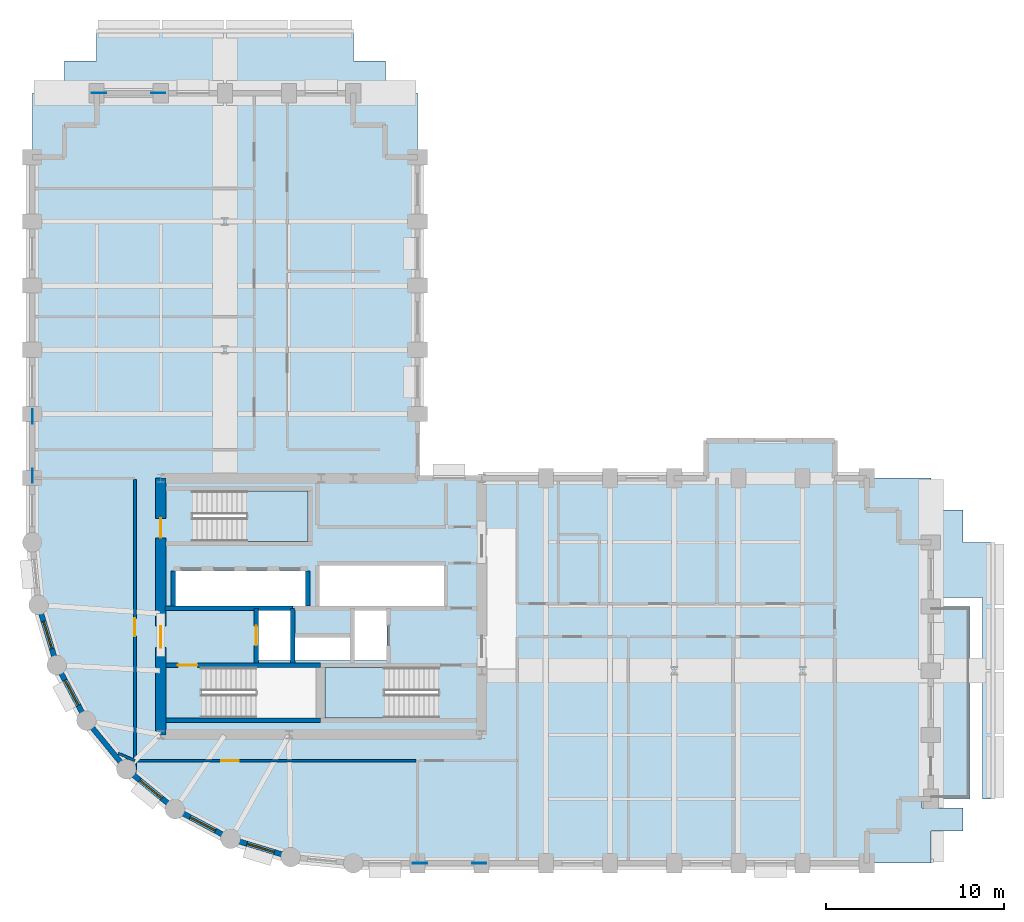
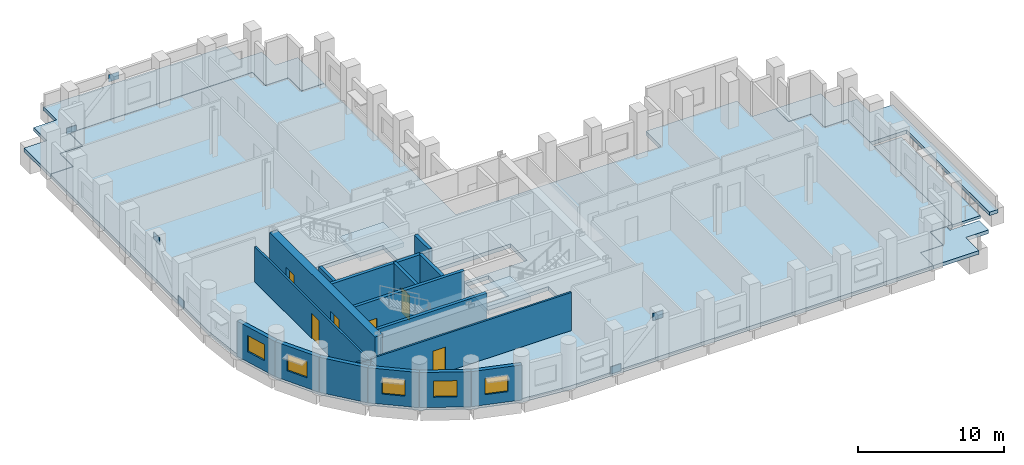
# One storey, part 3 of 9: 17 walls, 7 slabs, 6 doors, 6 plates, 5 windows, 11 openings, 2 elements without a shape of their own.
"""IFC4 building model written with IfcOpenShell, lengths in metres."""

from ifc_helpers import new_model, si_unit, direction, frame, frame_2d, origin, origin_2d, place, context, subcontext, project, spatial, polyline, rectangle, outline, extrude, material, layer, layer_set, type_object, element, fill, aggregate, save


model = new_model("IFC4")

# Units and contexts
model_context = context("Model", 3, precision=1e-05, world=origin(), true_north=direction((0.0, 1.0)))
body_context = subcontext(model_context, "Body", "Model", "MODEL_VIEW")
ifc_project = project(units=[si_unit("LENGTHUNIT", "METRE"), si_unit("AREAUNIT", "SQUARE_METRE"), si_unit("VOLUMEUNIT", "CUBIC_METRE"), si_unit("PLANEANGLEUNIT", "RADIAN"), si_unit("MASSUNIT", "GRAM", prefix="KILO")], contexts=[model_context])

# Site, building, storey
site_placement = place(None, origin())
site = spatial("IfcSite", under=ifc_project, at=site_placement, CompositionType="ELEMENT")
building_placement = place(site_placement, origin())
building = spatial("IfcBuilding", under=site, at=building_placement, Name="Solnavia Interchange Tower", CompositionType="ELEMENT")
storey_placement = place(building_placement, frame((0.0, 0.0, 80.10009765625)))
storey = spatial("IfcBuildingStorey", under=building, at=storey_placement, Name="L19", CompositionType="ELEMENT", Elevation=80.10009765625)

# Plates
ifc_material_1 = material(Name="Steel S460", Category="steel")
ifc_layer_1 = layer(ifc_material_1, 0.035888671875)
ifc_layer_set_1 = layer_set([ifc_layer_1], Name="Steel S460")
plate_type = type_object("IfcPlateType", Name="Plate-Gusset-800x600x36", PredefinedType="USERDEFINED", material=ifc_layer_set_1)
for number, where, z_axis, x_axis, name in (
    (1, (28.93994140625, 3.60009765625, -0.1201171875), (0.0, 0.0, 1.0), (1.0, 0.0, 0.0), "PLT-L19-GP01 Perimeter brace gusset plate"),
    (2, (32.260009765625, 3.60009765625, 3.169921875), (0.0, 0.0, 1.0), (1.0, 0.0, 0.0), "PLT-L19-GP02 Perimeter brace gusset plate"),
    (3, (7.199951171875, 25.340087890625, -0.1201171875), (0.0, 0.0, 1.0), (0.0, 1.0, 0.0), "PLT-L19-GP03 Perimeter brace gusset plate"),
    (4, (7.199951171875, 28.659912109375, 3.169921875), (0.0, 0.0, 1.0), (0.0, 1.0, 0.0), "PLT-L19-GP04 Perimeter brace gusset plate"),
    (5, (10.93994140625, 46.800048828125, -0.1201171875), (0.0, 0.0, 1.0), (1.0, 0.0, 0.0), "PLT-L19-GP05 Perimeter brace gusset plate"),
    (6, (14.260009765625, 46.800048828125, 3.169921875), (0.0, 0.0, 1.0), (1.0, 0.0, 0.0), "PLT-L19-GP06 Perimeter brace gusset plate"),
):
    element("IfcPlate", number, at=place(storey_placement, frame(where, z_axis=z_axis, x_axis=x_axis)), inside=storey, type_object=plate_type, Name=name, ObjectType="GUSSET PLATE", PredefinedType="USERDEFINED", context=body_context, shape_type="SweptSolid", body=[
        extrude(rectangle(XDim=0.800048828125, YDim=0.035888671875, at=origin_2d()), origin(), (0.0, 0.0, 1.0), 0.60009765625),
    ])

# Slabs
ifc_material_2 = material(Name="Concrete C40/50", Category="concrete")
ifc_layer_2 = layer(ifc_material_2, 0.300048828125)
ifc_layer_set_2 = layer_set([ifc_layer_2], Name="Concrete C40/50")
slab_type_1 = type_object("IfcSlabType", Name="Slab-Roof-300", PredefinedType="ROOF", material=ifc_layer_set_2)
slab_1_placement = place(storey_placement, frame((0.0, 0.0, -0.300048828125)))
element("IfcSlab", 7, at=slab_1_placement, inside=storey, type_object=slab_type_1, Name="ROF-L19-01 Setback maintenance roof slab", PredefinedType="ROOF", context=body_context, shape_type="SweptSolid", body=[
    extrude(outline(polyline([(9.0, 46.800048828125), (9.0, 48.60009765625), (10.800048828125, 48.60009765625), (10.800048828125, 50.39990234375), (25.199951171875, 50.39990234375), (25.199951171875, 48.60009765625), (27.0, 48.60009765625), (27.0, 46.800048828125), (28.800048828125, 46.800048828125), (28.800048828125, 43.219970703125), (27.02001953125, 43.219970703125), (27.02001953125, 45.02001953125), (25.219970703125, 45.02001953125), (25.219970703125, 46.820068359375), (10.780029296875, 46.820068359375), (10.780029296875, 45.02001953125), (8.97998046875, 45.02001953125), (8.97998046875, 43.219970703125), (7.199951171875, 43.219970703125), (7.199951171875, 46.800048828125), (9.0, 46.800048828125)])), origin(), (0.0, 0.0, 1.0), 0.300048828125),
])
slab_2_placement = place(storey_placement, frame((0.0, 0.0, -0.300048828125)))
element("IfcSlab", 8, at=slab_2_placement, inside=storey, type_object=slab_type_1, Name="ROF-L19-02 Setback maintenance roof slab", PredefinedType="ROOF", context=body_context, shape_type="SweptSolid", body=[
    extrude(outline(polyline([(57.60009765625, 23.39990234375), (59.39990234375, 23.39990234375), (59.39990234375, 21.60009765625), (61.199951171875, 21.60009765625), (61.199951171875, 7.199951171875), (60.5, 7.199951171875), (60.5, 18.5), (57.6201171875, 18.5), (57.6201171875, 21.6201171875), (55.820068359375, 21.6201171875), (55.820068359375, 23.419921875), (54.02001953125, 23.419921875), (54.02001953125, 25.199951171875), (57.60009765625, 25.199951171875), (57.60009765625, 23.39990234375)])), origin(), (0.0, 0.0, 1.0), 0.300048828125),
])
slab_3_placement = place(storey_placement, frame((0.0, 0.0, -0.300048828125)))
element("IfcSlab", 9, at=slab_3_placement, inside=storey, type_object=slab_type_1, Name="ROF-L19-03 Setback maintenance roof slab", PredefinedType="ROOF", context=body_context, shape_type="SweptSolid", body=[
    extrude(outline(polyline([(59.39990234375, 5.39990234375), (57.60009765625, 5.39990234375), (57.60009765625, 3.60009765625), (54.02001953125, 3.60009765625), (54.02001953125, 5.3798828125), (55.820068359375, 5.3798828125), (55.820068359375, 7.179931640625), (57.10009765625, 7.179931640625), (57.10009765625, 6.699951171875), (59.39990234375, 6.699951171875), (59.39990234375, 5.39990234375)])), origin(), (0.0, 0.0, 1.0), 0.300048828125),
])
ifc_layer_3 = layer(ifc_material_2, 0.320068359375)
ifc_layer_set_3 = layer_set([ifc_layer_3], Name="Concrete C40/50")
slab_type_2 = type_object("IfcSlabType", Name="Slab-Special-320", PredefinedType="FLOOR", material=ifc_layer_set_3)
slab_4_placement = place(storey_placement, frame((0.0, 0.0, -0.320068359375)))
element("IfcSlab", 10, at=slab_4_placement, inside=storey, type_object=slab_type_2, Name="SLB-L19-01 Structural floor slab", PredefinedType="FLOOR", context=body_context, shape_type="SweptSolid", body=[
    extrude(outline(polyline([(25.199951171875, 3.60009765625), (54.0, 3.60009765625), (54.0, 5.39990234375), (55.800048828125, 5.39990234375), (55.800048828125, 7.199951171875), (57.60009765625, 7.199951171875), (57.60009765625, 21.60009765625), (55.800048828125, 21.60009765625), (55.800048828125, 23.39990234375), (54.0, 23.39990234375), (54.0, 25.199951171875), (52.199951171875, 25.199951171875), (52.199951171875, 27.300048828125), (45.0, 27.300048828125), (45.0, 25.199951171875), (28.800048828125, 25.199951171875), (28.800048828125, 43.199951171875), (27.0, 43.199951171875), (27.0, 45.0), (25.199951171875, 45.0), (25.199951171875, 46.800048828125), (10.800048828125, 46.800048828125), (10.800048828125, 45.0), (9.0, 45.0), (9.0, 43.199951171875), (7.199951171875, 43.199951171875), (7.199951171875, 21.60009765625), (7.5458984375, 18.087890625), (8.570068359375, 14.7119140625), (10.23388671875, 11.60009765625), (12.471923828125, 8.8720703125), (15.199951171875, 6.634033203125), (18.31201171875, 4.969970703125), (21.68798828125, 3.946044921875), (25.199951171875, 3.60009765625)]), holes=[polyline([(16.675048828125, 11.75), (23.10009765625, 11.75), (23.10009765625, 14.590087890625), (16.675048828125, 14.590087890625), (16.675048828125, 11.75)]), polyline([(23.60009765625, 11.75), (29.97509765625, 11.75), (29.97509765625, 14.590087890625), (23.60009765625, 14.590087890625), (23.60009765625, 11.75)]), polyline([(16.175048828125, 21.64990234375), (22.64990234375, 21.64990234375), (22.64990234375, 24.489990234375), (16.175048828125, 24.489990234375), (16.175048828125, 21.64990234375)]), polyline([(19.8798828125, 14.9599609375), (21.679931640625, 14.9599609375), (21.679931640625, 17.780029296875), (19.8798828125, 17.780029296875), (19.8798828125, 14.9599609375)]), polyline([(25.280029296875, 14.9599609375), (27.080078125, 14.9599609375), (27.080078125, 17.780029296875), (25.280029296875, 17.780029296875), (25.280029296875, 14.9599609375)]), polyline([(21.919921875, 14.9599609375), (25.02001953125, 14.9599609375), (25.02001953125, 16.280029296875), (21.919921875, 16.280029296875), (21.919921875, 14.9599609375)]), polyline([(15.219970703125, 18.02001953125), (22.52001953125, 18.02001953125), (22.52001953125, 20.0), (15.219970703125, 20.0), (15.219970703125, 18.02001953125)]), polyline([(23.300048828125, 18.02001953125), (30.280029296875, 18.02001953125), (30.280029296875, 20.300048828125), (23.300048828125, 20.300048828125), (23.300048828125, 18.02001953125)])]), origin(), (0.0, 0.0, 1.0), 0.320068359375),
])

# Stair, slab
stair_type = type_object("IfcStairType", Name="Stair-Dogleg-RC", PredefinedType="HALF_TURN_STAIR", material=ifc_material_2)
stair_1_placement = place(storey_placement, origin())
stair_1 = element("IfcStair", 11, at=stair_1_placement, inside=storey, type_object=stair_type, Name="L19 Core exit stair 2", PredefinedType="HALF_TURN_STAIR")
ifc_layer_4 = layer(ifc_material_2, 0.35009765625)
ifc_layer_set_4 = layer_set([ifc_layer_4], Name="Concrete C40/50")
slab_type_3 = type_object("IfcSlabType", Name="Slab-StairLanding-350", PredefinedType="LANDING", material=ifc_layer_set_4)
slab_5_placement = place(storey_placement, frame((0.0, 0.0, 1.599853515625)))
slab_5 = element("IfcSlab", 12, at=slab_5_placement, type_object=slab_type_3, Name="ST-2 landing 1", PredefinedType="LANDING", context=body_context, shape_type="SweptSolid", body=[
    extrude(outline(polyline([(23.60009765625, 11.75), (26.94189453125, 11.75), (26.94189453125, 14.590087890625), (23.60009765625, 14.590087890625), (23.60009765625, 11.75)])), origin(), (0.0, 0.0, 1.0), 0.35009765625),
])
aggregate(stair_1, [slab_5])

stair_2_placement = place(storey_placement, origin())
stair_2 = element("IfcStair", 13, at=stair_2_placement, inside=storey, type_object=stair_type, Name="L19 Core exit stair 3", PredefinedType="HALF_TURN_STAIR")
slab_6_placement = place(storey_placement, frame((0.0, 0.0, 1.599853515625)))
slab_6 = element("IfcSlab", 14, at=slab_6_placement, type_object=slab_type_3, Name="ST-3 landing 1", PredefinedType="LANDING", context=body_context, shape_type="SweptSolid", body=[
    extrude(outline(polyline([(19.2080078125, 21.64990234375), (22.64990234375, 21.64990234375), (22.64990234375, 24.489990234375), (19.2080078125, 24.489990234375), (19.2080078125, 21.64990234375)])), origin(), (0.0, 0.0, 1.0), 0.35009765625),
])
aggregate(stair_2, [slab_6])

# Slab
ifc_layer_5 = layer(ifc_material_2, 0.219970703125)
ifc_layer_set_5 = layer_set([ifc_layer_5], Name="Concrete C40/50")
slab_type_4 = type_object("IfcSlabType", Name="Slab-Terrace-220", PredefinedType="FLOOR", material=ifc_layer_set_5)
slab_7_placement = place(storey_placement, frame((0.0, 0.0, -0.260009765625)))
element("IfcSlab", 15, at=slab_7_placement, inside=storey, type_object=slab_type_4, Name="TER-L19-01 Outdoor spiral terrace slab", PredefinedType="FLOOR", context=body_context, shape_type="SweptSolid", body=[
    extrude(outline(polyline([(57.60009765625, 7.199951171875), (59.800048828125, 7.199951171875), (59.800048828125, 18.0), (57.60009765625, 18.0), (57.60009765625, 7.199951171875)])), origin(), (0.0, 0.0, 1.0), 0.219970703125),
])

# Wall, opening, window
ifc_layer_6 = layer(ifc_material_2, 0.300048828125)
ifc_layer_set_6 = layer_set([ifc_layer_6], Name="Concrete C40/50")
wall_type_1 = type_object("IfcWallType", Name="Wall-ExtSpandrel-300", PredefinedType="STANDARD", material=ifc_layer_set_6)
wall_1_placement = place(storey_placement, frame((8.570068359375, 14.7119140625, 0.0), z_axis=(0.0, 0.0, 1.0), x_axis=(-0.290305086481, 0.956934144423, 0.0)))
wall_1 = element("IfcWall", 16, at=wall_1_placement, inside=storey, type_object=wall_type_1, Name="EXW-L19-56 Exterior precast spandrel wall", PredefinedType="STANDARD", context=body_context, shape_type="SweptSolid", body=[
    extrude(rectangle(XDim=3.52783203125, YDim=0.300048828125, at=frame_2d((1.763916015625, 0.0))), origin(), (0.0, 0.0, 1.0), 2.929931640625),
])
opening_1_placement = place(wall_1_placement, frame((0.964111328125, 0.0, 0.85009765625)))
opening_1 = element("IfcOpeningElement", 17, at=opening_1_placement, cuts=wall_1, Name="Opening WIN-04", PredefinedType="OPENING", context=body_context, shape_type="SweptSolid", body=[
    extrude(rectangle(XDim=1.60009765625, YDim=1.35009765625, at=frame_2d((0.800048828125, 0.675048828125))), frame((0.0, 0.16015625, 0.0), z_axis=(0.0, -1.0, 0.0), x_axis=(1.0, 0.0, 0.0)), (0.0, 0.0, 1.0), 0.320068359375),
])
ifc_material_3 = material(Name="Thermal-Break Aluminium & Low-E Glass", Category="aluminium")
window_type = type_object("IfcWindowType", Name="Window-Drum-1600x1350", PartitioningType="SINGLE_PANEL", PredefinedType="WINDOW", material=ifc_material_3)
window_1_placement = place(opening_1_placement, origin())
window_1 = element("IfcWindow", 18, at=window_1_placement, inside=storey, type_object=window_type, Name="WIN-L19-56 Facade ribbon window", OverallHeight=1.35009765625, OverallWidth=1.60009765625, PartitioningType="SINGLE_PANEL", PredefinedType="WINDOW", context=body_context, shape_type="SweptSolid", body=[
    extrude(rectangle(XDim=1.60009765625, YDim=1.35009765625, at=frame_2d((0.800048828125, 0.675048828125))), frame((0.0, 0.030029296875, 0.0), z_axis=(0.0, -1.0, 0.0), x_axis=(1.0, 0.0, 0.0)), (0.0, 0.0, 1.0), 0.06005859375),
])
fill(opening_1, window_1)

wall_2_placement = place(storey_placement, frame((10.23388671875, 11.60009765625, 0.0), z_axis=(0.0, 0.0, 1.0), x_axis=(-0.47151087309, 0.881860247748, 0.0)))
wall_2 = element("IfcWall", 19, at=wall_2_placement, inside=storey, type_object=wall_type_1, Name="EXW-L19-57 Exterior precast spandrel wall", PredefinedType="STANDARD", context=body_context, shape_type="SweptSolid", body=[
    extrude(rectangle(XDim=3.52880859375, YDim=0.300048828125, at=frame_2d((1.764404296875, 0.0))), origin(), (0.0, 0.0, 1.0), 2.929931640625),
])
opening_2_placement = place(wall_2_placement, frame((0.964111328125, 0.0, 0.85009765625)))
opening_2 = element("IfcOpeningElement", 20, at=opening_2_placement, cuts=wall_2, Name="Opening WIN-04", PredefinedType="OPENING", context=body_context, shape_type="SweptSolid", body=[
    extrude(rectangle(XDim=1.60009765625, YDim=1.35009765625, at=frame_2d((0.800048828125, 0.675048828125))), frame((0.0, 0.16015625, 0.0), z_axis=(0.0, -1.0, 0.0), x_axis=(1.0, 0.0, 0.0)), (0.0, 0.0, 1.0), 0.320068359375),
])
window_2_placement = place(opening_2_placement, origin())
window_2 = element("IfcWindow", 21, at=window_2_placement, inside=storey, type_object=window_type, Name="WIN-L19-57 Facade ribbon window", OverallHeight=1.35009765625, OverallWidth=1.60009765625, PartitioningType="SINGLE_PANEL", PredefinedType="WINDOW", context=body_context, shape_type="SweptSolid", body=[
    extrude(rectangle(XDim=1.60009765625, YDim=1.35009765625, at=frame_2d((0.800048828125, 0.675048828125))), frame((0.0, 0.030029296875, 0.0), z_axis=(0.0, -1.0, 0.0), x_axis=(1.0, 0.0, 0.0)), (0.0, 0.0, 1.0), 0.06005859375),
])
fill(opening_2, window_2)

# Wall
wall_3_placement = place(storey_placement, frame((12.471923828125, 8.8720703125, 0.0), z_axis=(0.0, 0.0, 1.0), x_axis=(-0.634258295121, 0.773121216285, 0.0)))
element("IfcWall", 22, at=wall_3_placement, inside=storey, type_object=wall_type_1, Name="EXW-L19-58 Exterior precast spandrel wall", PredefinedType="STANDARD", context=body_context, shape_type="SweptSolid", body=[
    extrude(rectangle(XDim=3.528564453125, YDim=0.300048828125, at=frame_2d((1.76416015625, 0.0))), origin(), (0.0, 0.0, 1.0), 2.929931640625),
])

# Wall, opening, window
wall_4_placement = place(storey_placement, frame((15.199951171875, 6.634033203125, 0.0), z_axis=(0.0, 0.0, 1.0), x_axis=(-0.773121216285, 0.634258295121, 0.0)))
wall_4 = element("IfcWall", 23, at=wall_4_placement, inside=storey, type_object=wall_type_1, Name="EXW-L19-59 Exterior precast spandrel wall", PredefinedType="STANDARD", context=body_context, shape_type="SweptSolid", body=[
    extrude(rectangle(XDim=3.528564453125, YDim=0.300048828125, at=frame_2d((1.76416015625, 0.0))), origin(), (0.0, 0.0, 1.0), 2.929931640625),
])
opening_3_placement = place(wall_4_placement, frame((0.964111328125, 0.0, 0.85009765625)))
opening_3 = element("IfcOpeningElement", 24, at=opening_3_placement, cuts=wall_4, Name="Opening WIN-04", PredefinedType="OPENING", context=body_context, shape_type="SweptSolid", body=[
    extrude(rectangle(XDim=1.60009765625, YDim=1.35009765625, at=frame_2d((0.800048828125, 0.675048828125))), frame((0.0, 0.16015625, 0.0), z_axis=(0.0, -1.0, 0.0), x_axis=(1.0, 0.0, 0.0)), (0.0, 0.0, 1.0), 0.320068359375),
])
window_3_placement = place(opening_3_placement, origin())
window_3 = element("IfcWindow", 25, at=window_3_placement, inside=storey, type_object=window_type, Name="WIN-L19-59 Facade ribbon window", OverallHeight=1.35009765625, OverallWidth=1.60009765625, PartitioningType="SINGLE_PANEL", PredefinedType="WINDOW", context=body_context, shape_type="SweptSolid", body=[
    extrude(rectangle(XDim=1.60009765625, YDim=1.35009765625, at=frame_2d((0.800048828125, 0.675048828125))), frame((0.0, 0.030029296875, 0.0), z_axis=(0.0, -1.0, 0.0), x_axis=(1.0, 0.0, 0.0)), (0.0, 0.0, 1.0), 0.06005859375),
])
fill(opening_3, window_3)

wall_5_placement = place(storey_placement, frame((18.31201171875, 4.969970703125, 0.0), z_axis=(0.0, 0.0, 1.0), x_axis=(-0.881846862014, 0.471535907389, 0.0)))
wall_5 = element("IfcWall", 26, at=wall_5_placement, inside=storey, type_object=wall_type_1, Name="EXW-L19-60 Exterior precast spandrel wall", PredefinedType="STANDARD", context=body_context, shape_type="SweptSolid", body=[
    extrude(rectangle(XDim=3.529052734375, YDim=0.300048828125, at=frame_2d((1.7646484375, 0.0))), origin(), (0.0, 0.0, 1.0), 2.929931640625),
])
opening_4_placement = place(wall_5_placement, frame((0.964111328125, 0.0, 0.85009765625)))
opening_4 = element("IfcOpeningElement", 27, at=opening_4_placement, cuts=wall_5, Name="Opening WIN-04", PredefinedType="OPENING", context=body_context, shape_type="SweptSolid", body=[
    extrude(rectangle(XDim=1.60009765625, YDim=1.35009765625, at=frame_2d((0.800048828125, 0.675048828125))), frame((0.0, 0.16015625, 0.0), z_axis=(0.0, -1.0, 0.0), x_axis=(1.0, 0.0, 0.0)), (0.0, 0.0, 1.0), 0.320068359375),
])
window_4_placement = place(opening_4_placement, origin())
window_4 = element("IfcWindow", 28, at=window_4_placement, inside=storey, type_object=window_type, Name="WIN-L19-60 Facade ribbon window", OverallHeight=1.35009765625, OverallWidth=1.60009765625, PartitioningType="SINGLE_PANEL", PredefinedType="WINDOW", context=body_context, shape_type="SweptSolid", body=[
    extrude(rectangle(XDim=1.60009765625, YDim=1.35009765625, at=frame_2d((0.800048828125, 0.675048828125))), frame((0.0, 0.030029296875, 0.0), z_axis=(0.0, -1.0, 0.0), x_axis=(1.0, 0.0, 0.0)), (0.0, 0.0, 1.0), 0.06005859375),
])
fill(opening_4, window_4)

wall_6_placement = place(storey_placement, frame((21.68798828125, 3.946044921875, 0.0), z_axis=(0.0, 0.0, 1.0), x_axis=(-0.956953367403, 0.290241714123, 0.0)))
wall_6 = element("IfcWall", 29, at=wall_6_placement, inside=storey, type_object=wall_type_1, Name="EXW-L19-61 Exterior precast spandrel wall", PredefinedType="STANDARD", context=body_context, shape_type="SweptSolid", body=[
    extrude(rectangle(XDim=3.52783203125, YDim=0.300048828125, at=frame_2d((1.763916015625, 0.0))), origin(), (0.0, 0.0, 1.0), 2.929931640625),
])
opening_5_placement = place(wall_6_placement, frame((0.964111328125, 0.0, 0.85009765625)))
opening_5 = element("IfcOpeningElement", 30, at=opening_5_placement, cuts=wall_6, Name="Opening WIN-04", PredefinedType="OPENING", context=body_context, shape_type="SweptSolid", body=[
    extrude(rectangle(XDim=1.60009765625, YDim=1.35009765625, at=frame_2d((0.800048828125, 0.675048828125))), frame((0.0, 0.16015625, 0.0), z_axis=(0.0, -1.0, 0.0), x_axis=(1.0, 0.0, 0.0)), (0.0, 0.0, 1.0), 0.320068359375),
])
window_5_placement = place(opening_5_placement, origin())
window_5 = element("IfcWindow", 31, at=window_5_placement, inside=storey, type_object=window_type, Name="WIN-L19-61 Facade ribbon window", OverallHeight=1.35009765625, OverallWidth=1.60009765625, PartitioningType="SINGLE_PANEL", PredefinedType="WINDOW", context=body_context, shape_type="SweptSolid", body=[
    extrude(rectangle(XDim=1.60009765625, YDim=1.35009765625, at=frame_2d((0.800048828125, 0.675048828125))), frame((0.0, 0.030029296875, 0.0), z_axis=(0.0, -1.0, 0.0), x_axis=(1.0, 0.0, 0.0)), (0.0, 0.0, 1.0), 0.06005859375),
])
fill(opening_5, window_5)

# Wall
ifc_material_4 = material(Name="Gypsum Plasterboard & Steel Stud", Category="steel")
ifc_layer_7 = layer(ifc_material_4, 0.14990234375)
ifc_layer_set_7 = layer_set([ifc_layer_7], Name="Gypsum Plasterboard & Steel Stud")
wall_type_2 = type_object("IfcWallType", Name="Wall-Partition-150", PredefinedType="PARTITIONING", material=ifc_layer_set_7)
wall_7_placement = place(storey_placement, frame((12.949951171875, 9.35009765625, 0.0), z_axis=(0.0, 0.0, 1.0), x_axis=(-0.914692674918, 0.40415010881, 0.0)))
element("IfcWall", 32, at=wall_7_placement, inside=storey, type_object=wall_type_2, Name="PTW-L19-09 Interior partition wall", PredefinedType="PARTITIONING", context=body_context, shape_type="SweptSolid", body=[
    extrude(rectangle(XDim=1.037109375, YDim=0.14990234375, at=frame_2d((0.5185546875, 0.0))), origin(), (0.0, 0.0, 1.0), 2.929931640625),
])

# Wall, opening, door
wall_8_placement = place(storey_placement, frame((12.949951171875, 8.6337890625, 0.0), z_axis=(0.0, 0.0, 1.0), x_axis=(0.0, 1.0, 0.0)))
wall_8 = element("IfcWall", 33, at=wall_8_placement, inside=storey, type_object=wall_type_2, Name="PTW-L19-10 Interior partition wall", PredefinedType="PARTITIONING", context=body_context, shape_type="SweptSolid", body=[
    extrude(rectangle(XDim=16.4873046875, YDim=0.14990234375, at=frame_2d((8.24365234375, 0.0))), origin(), (0.0, 0.0, 1.0), 2.929931640625),
])
opening_6_placement = place(wall_8_placement, frame((7.7060546875, 0.0, 0.0)))
opening_6 = element("IfcOpeningElement", 34, at=opening_6_placement, cuts=wall_8, Name="Opening DR-07", PredefinedType="OPENING", context=body_context, shape_type="SweptSolid", body=[
    extrude(rectangle(XDim=1.0, YDim=2.10009765625, at=frame_2d((0.5, 1.050048828125))), frame((0.0, 0.0849609375, 0.0), z_axis=(0.0, -1.0, 0.0), x_axis=(1.0, 0.0, 0.0)), (0.0, 0.0, 1.0), 0.169921875),
])
ifc_material_5 = material(Name="Timber & Acoustic Glazed Office Door", Category="wood")
door_type_1 = type_object("IfcDoorType", Name="Door-Office-1000x2100", OperationType="SINGLE_SWING_RIGHT", PredefinedType="DOOR", material=ifc_material_5)
door_1_placement = place(opening_6_placement, origin())
door_1 = element("IfcDoor", 35, at=door_1_placement, inside=storey, type_object=door_type_1, Name="DR-L19-03 Interior room door", OperationType="SINGLE_SWING_LEFT", OverallHeight=2.10009765625, OverallWidth=1.0, PredefinedType="DOOR", context=body_context, shape_type="SweptSolid", body=[
    extrude(rectangle(XDim=1.0, YDim=2.10009765625, at=frame_2d((0.5, 1.050048828125))), frame((0.0, 0.02490234375, 0.0), z_axis=(0.0, -1.0, 0.0), x_axis=(1.0, 0.0, 0.0)), (0.0, 0.0, 1.0), 0.050048828125),
])
fill(opening_6, door_1)

wall_9_placement = place(storey_placement, frame((12.949951171875, 9.35009765625, 0.0), z_axis=(0.0, 0.0, 1.0), x_axis=(1.0, 0.0, 0.0)))
wall_9 = element("IfcWall", 36, at=wall_9_placement, inside=storey, type_object=wall_type_2, Name="PTW-L19-11 Interior partition wall", PredefinedType="PARTITIONING", context=body_context, shape_type="SweptSolid", body=[
    extrude(rectangle(XDim=15.77099609375, YDim=0.14990234375, at=frame_2d((7.885498046875, 0.0))), origin(), (0.0, 0.0, 1.0), 3.179931640625),
])
opening_7_placement = place(wall_9_placement, frame((4.8359375, 0.0, 0.0)))
opening_7 = element("IfcOpeningElement", 37, at=opening_7_placement, cuts=wall_9, Name="Opening DR-07", PredefinedType="OPENING", context=body_context, shape_type="SweptSolid", body=[
    extrude(rectangle(XDim=1.0, YDim=2.10009765625, at=frame_2d((0.5, 1.050048828125))), frame((0.0, 0.0849609375, 0.0), z_axis=(0.0, -1.0, 0.0), x_axis=(1.0, 0.0, 0.0)), (0.0, 0.0, 1.0), 0.169921875),
])
door_2_placement = place(opening_7_placement, origin())
door_2 = element("IfcDoor", 38, at=door_2_placement, inside=storey, type_object=door_type_1, Name="DR-L19-04 Interior room door", OperationType="SINGLE_SWING_RIGHT", OverallHeight=2.10009765625, OverallWidth=1.0, PredefinedType="DOOR", context=body_context, shape_type="SweptSolid", body=[
    extrude(rectangle(XDim=1.0, YDim=2.10009765625, at=frame_2d((0.5, 1.050048828125))), frame((0.0, 0.02490234375, 0.0), z_axis=(0.0, -1.0, 0.0), x_axis=(1.0, 0.0, 0.0)), (0.0, 0.0, 1.0), 0.050048828125),
])
fill(opening_7, door_2)

# Wall
ifc_layer_8 = layer(ifc_material_2, 0.25)
ifc_layer_set_8 = layer_set([ifc_layer_8], Name="Concrete C40/50")
wall_type_3 = type_object("IfcWallType", Name="Wall-ShaftCore-250", PredefinedType="SHEAR", material=ifc_layer_set_8)
wall_10_placement = place(storey_placement, frame((14.699951171875, 11.625, 0.0), z_axis=(0.0, 0.0, 1.0), x_axis=(1.0, 0.0, 0.0)))
element("IfcWall", 39, at=wall_10_placement, inside=storey, type_object=wall_type_3, Name="SHW-L19-ST1S Core shear wall", PredefinedType="SHEAR", context=body_context, shape_type="SweptSolid", body=[
    extrude(rectangle(XDim=8.650146484375, YDim=0.25, at=frame_2d((4.3251953125, 0.0))), origin(), (0.0, 0.0, 1.0), 3.64990234375),
])

# Wall, opening, door
wall_11_placement = place(storey_placement, frame((14.699951171875, 14.715087890625, 0.0), z_axis=(0.0, 0.0, 1.0), x_axis=(1.0, 0.0, 0.0)))
wall_11 = element("IfcWall", 40, at=wall_11_placement, inside=storey, type_object=wall_type_3, Name="SHW-L19-ST1N Core shear wall", PredefinedType="SHEAR", context=body_context, shape_type="SweptSolid", body=[
    extrude(rectangle(XDim=8.650146484375, YDim=0.25, at=frame_2d((4.3251953125, 0.0))), origin(), (0.0, 0.0, 1.0), 3.64990234375),
])
opening_8_placement = place(wall_11_placement, frame((0.655029296875, 0.0, 0.0)))
opening_8 = element("IfcOpeningElement", 41, at=opening_8_placement, cuts=wall_11, Name="Opening DR-01", PredefinedType="OPENING", context=body_context, shape_type="SweptSolid", body=[
    extrude(rectangle(XDim=1.10009765625, YDim=2.10009765625, at=frame_2d((0.550048828125, 1.050048828125))), frame((0.0, 0.135009765625, 0.0), z_axis=(0.0, -1.0, 0.0), x_axis=(1.0, 0.0, 0.0)), (0.0, 0.0, 1.0), 0.27001953125),
])
ifc_material_6 = material(Name="Steel Fire-Rated Leaf & Frame", Category="steel")
door_type_2 = type_object("IfcDoorType", Name="Door-StairFire-1100x2100", OperationType="SINGLE_SWING_LEFT", PredefinedType="DOOR", material=ifc_material_6)
door_3_placement = place(opening_8_placement, origin())
door_3 = element("IfcDoor", 42, at=door_3_placement, inside=storey, type_object=door_type_2, Name="DR-L19-ST1 Core fire door", OperationType="SINGLE_SWING_LEFT", OverallHeight=2.10009765625, OverallWidth=1.10009765625, PredefinedType="DOOR", context=body_context, shape_type="SweptSolid", body=[
    extrude(rectangle(XDim=1.10009765625, YDim=2.10009765625, at=frame_2d((0.550048828125, 1.050048828125))), frame((0.0, 0.02490234375, 0.0), z_axis=(0.0, -1.0, 0.0), x_axis=(1.0, 0.0, 0.0)), (0.0, 0.0, 1.0), 0.050048828125),
])
fill(opening_8, door_3)

# Wall
ifc_layer_9 = layer(ifc_material_2, 0.25)
ifc_layer_set_9 = layer_set([ifc_layer_9], Name="Concrete C40/50")
wall_type_4 = type_object("IfcWallType", Name="Wall-ShaftPart-250", PredefinedType="PARTITIONING", material=ifc_layer_set_9)
wall_12_placement = place(storey_placement, frame((14.64990234375, 17.89990234375, 0.0), z_axis=(0.0, 0.0, 1.0), x_axis=(1.0, 0.0, 0.0)))
element("IfcWall", 43, at=wall_12_placement, inside=storey, type_object=wall_type_4, Name="SHW-L19-FFLW-N Core shaft wall", PredefinedType="PARTITIONING", context=body_context, shape_type="SweptSolid", body=[
    extrude(rectangle(XDim=7.150146484375, YDim=0.25, at=frame_2d((3.5751953125, 0.0))), origin(), (0.0, 0.0, 1.0), 3.635009765625),
])

# Wall, opening, door
wall_13_placement = place(storey_placement, frame((19.75, 14.840087890625, 0.0), z_axis=(0.0, 0.0, 1.0), x_axis=(0.0, 1.0, 0.0)))
wall_13 = element("IfcWall", 44, at=wall_13_placement, inside=storey, type_object=wall_type_4, Name="SHW-L19-FFL1-W Core shaft wall", PredefinedType="PARTITIONING", context=body_context, shape_type="SweptSolid", body=[
    extrude(rectangle(XDim=3.059814453125, YDim=0.25, at=frame_2d((1.52978515625, 0.0))), origin(), (0.0, 0.0, 1.0), 3.635009765625),
])
opening_9_placement = place(wall_13_placement, frame((0.97998046875, 0.0, 0.0)))
opening_9 = element("IfcOpeningElement", 45, at=opening_9_placement, cuts=wall_13, Name="Opening LD-01", PredefinedType="OPENING", context=body_context, shape_type="SweptSolid", body=[
    extrude(rectangle(XDim=1.10009765625, YDim=2.10009765625, at=frame_2d((0.550048828125, 1.050048828125))), frame((0.0, 0.135009765625, 0.0), z_axis=(0.0, -1.0, 0.0), x_axis=(1.0, 0.0, 0.0)), (0.0, 0.0, 1.0), 0.27001953125),
])
ifc_material_7 = material(Name="Brushed Stainless Steel Sliding Door", Category="steel")
door_type_3 = type_object("IfcDoorType", Name="Door-LiftLanding-1100x2100", OperationType="SLIDING_TO_LEFT", PredefinedType="DOOR", material=ifc_material_7)
door_4_placement = place(opening_9_placement, origin())
door_4 = element("IfcDoor", 46, at=door_4_placement, inside=storey, type_object=door_type_3, Name="LD-L19-FFL1 Lift landing sliding door", OperationType="SLIDING_TO_LEFT", OverallHeight=2.10009765625, OverallWidth=1.10009765625, PredefinedType="DOOR", context=body_context, shape_type="SweptSolid", body=[
    extrude(rectangle(XDim=1.10009765625, YDim=2.10009765625, at=frame_2d((0.550048828125, 1.050048828125))), frame((0.0, 0.02490234375, 0.0), z_axis=(0.0, -1.0, 0.0), x_axis=(1.0, 0.0, 0.0)), (0.0, 0.0, 1.0), 0.050048828125),
])
fill(opening_9, door_4)

# Walls
wall_14_placement = place(storey_placement, frame((21.800048828125, 14.840087890625, 0.0), z_axis=(0.0, 0.0, 1.0), x_axis=(0.0, 1.0, 0.0)))
element("IfcWall", 47, at=wall_14_placement, inside=storey, type_object=wall_type_4, Name="SHW-L19-FFL1-E Core shaft wall", PredefinedType="PARTITIONING", context=body_context, shape_type="SweptSolid", body=[
    extrude(rectangle(XDim=3.059814453125, YDim=0.25, at=frame_2d((1.52978515625, 0.0))), origin(), (0.0, 0.0, 1.0), 3.635009765625),
])
for number, where, z_axis, x_axis, name in (
    (48, (15.10009765625, 18.02490234375, 0.0), (0.0, 0.0, 1.0), (0.0, 1.0, 0.0), "SHW-L19-B1W Core shaft wall"),
    (49, (22.64990234375, 18.02490234375, 0.0), (0.0, 0.0, 1.0), (0.0, 1.0, 0.0), "SHW-L19-B1E Core shaft wall"),
):
    element("IfcWall", number, at=place(storey_placement, frame(where, z_axis=z_axis, x_axis=x_axis)), inside=storey, type_object=wall_type_4, Name=name, PredefinedType="PARTITIONING", context=body_context, shape_type="SweptSolid", body=[
        extrude(rectangle(XDim=1.97509765625, YDim=0.25, at=frame_2d((0.987548828125, 0.0))), origin(), (0.0, 0.0, 1.0), 3.635009765625),
    ])

# Wall, openings, doors
ifc_material_8 = material(Name="Concrete C60/75", Category="concrete")
ifc_layer_10 = layer(ifc_material_8, 0.60009765625)
ifc_layer_set_10 = layer_set([ifc_layer_10], Name="Concrete C60/75")
wall_type_5 = type_object("IfcWallType", Name="Wall-ShearCore-600", PredefinedType="SHEAR", material=ifc_layer_set_10)
wall_15_placement = place(storey_placement, frame((14.39990234375, 10.800048828125, 0.0), z_axis=(0.0, 0.0, 1.0), x_axis=(0.0, 1.0, 0.0)))
wall_15 = element("IfcWall", 50, at=wall_15_placement, inside=storey, type_object=wall_type_5, Name="CRW-L19-W Core shear wall", PredefinedType="SHEAR", context=body_context, shape_type="SweptSolid", body=[
    extrude(rectangle(XDim=14.39990234375, YDim=0.60009765625, at=frame_2d((7.199951171875, 0.0))), origin(), (0.0, 0.0, 1.0), 3.64990234375),
])
opening_10_placement = place(wall_15_placement, frame((11.050048828125, 0.0, 0.0)))
opening_10 = element("IfcOpeningElement", 51, at=opening_10_placement, cuts=wall_15, Name="Opening DR-01", PredefinedType="OPENING", context=body_context, shape_type="SweptSolid", body=[
    extrude(rectangle(XDim=1.10009765625, YDim=2.10009765625, at=frame_2d((0.550048828125, 1.050048828125))), frame((0.0, 0.31005859375, 0.0), z_axis=(0.0, -1.0, 0.0), x_axis=(1.0, 0.0, 0.0)), (0.0, 0.0, 1.0), 0.6201171875),
])
opening_11_placement = place(wall_15_placement, frame((4.89990234375, 0.0, 0.0)))
opening_11 = element("IfcOpeningElement", 52, at=opening_11_placement, cuts=wall_15, Name="Opening DR-02", PredefinedType="OPENING", context=body_context, shape_type="SweptSolid", body=[
    extrude(rectangle(XDim=1.199951171875, YDim=2.10009765625, at=frame_2d((0.60009765625, 1.050048828125))), frame((0.0, 0.31005859375, 0.0), z_axis=(0.0, -1.0, 0.0), x_axis=(1.0, 0.0, 0.0)), (0.0, 0.0, 1.0), 0.6201171875),
])
ifc_material_9 = material(Name="Steel Fire-Rated Vision-Panel Door", Category="steel")
door_type_4 = type_object("IfcDoorType", Name="Door-LobbyFire-1200x2100", OperationType="SINGLE_SWING_RIGHT", PredefinedType="DOOR", material=ifc_material_9)
door_5_placement = place(opening_11_placement, origin())
door_5 = element("IfcDoor", 53, at=door_5_placement, inside=storey, type_object=door_type_4, Name="DR-L19-FFL1W Core fire door", OperationType="SINGLE_SWING_RIGHT", OverallHeight=2.10009765625, OverallWidth=1.199951171875, PredefinedType="DOOR", context=body_context, shape_type="SweptSolid", body=[
    extrude(rectangle(XDim=1.199951171875, YDim=2.10009765625, at=frame_2d((0.60009765625, 1.050048828125))), frame((0.0, 0.02490234375, 0.0), z_axis=(0.0, -1.0, 0.0), x_axis=(1.0, 0.0, 0.0)), (0.0, 0.0, 1.0), 0.050048828125),
])
fill(opening_11, door_5)
door_6_placement = place(opening_10_placement, origin())
door_6 = element("IfcDoor", 54, at=door_6_placement, inside=storey, type_object=door_type_2, Name="DR-L19-ST3 Core fire door", OperationType="SINGLE_SWING_RIGHT", OverallHeight=2.10009765625, OverallWidth=1.10009765625, PredefinedType="DOOR", context=body_context, shape_type="SweptSolid", body=[
    extrude(rectangle(XDim=1.10009765625, YDim=2.10009765625, at=frame_2d((0.550048828125, 1.050048828125))), frame((0.0, 0.02490234375, 0.0), z_axis=(0.0, -1.0, 0.0), x_axis=(1.0, 0.0, 0.0)), (0.0, 0.0, 1.0), 0.050048828125),
])
fill(opening_10, door_6)

save(model, "model.ifc")
